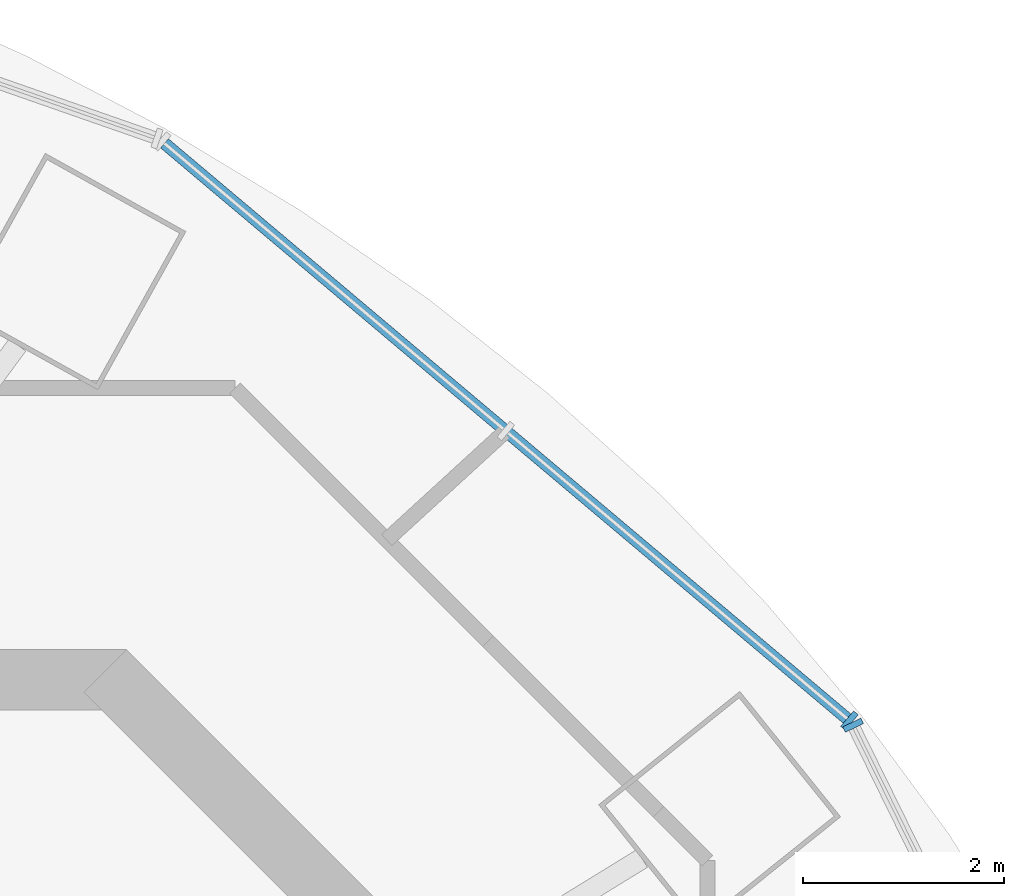
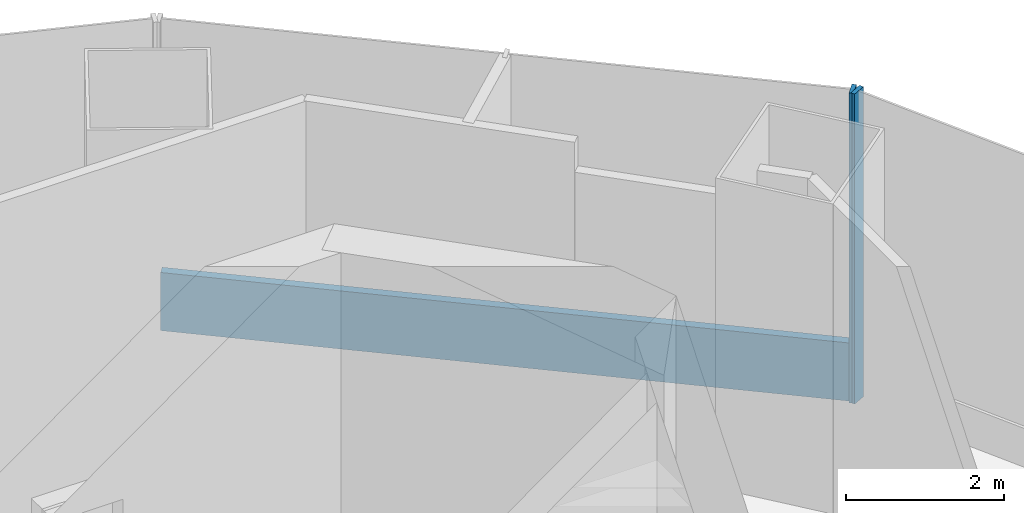
# One storey, part 6 of 12: 3 members, 2 elements without a shape of their own.
"""IFC4 building model written with IfcOpenShell, lengths in metres."""

from ifc_helpers import new_model, si_unit, direction, frame, origin, origin_2d, place, context, subcontext, project, spatial, rectangle, extrude, material, material_profile, profile_set, type_object, element, aggregate, save


model = new_model("IFC4")

# Units and contexts
model_context = context("Model", 3, precision=1e-05, world=origin(), true_north=direction((0.0, 1.0)))
body_context = subcontext(model_context, "Body", "Model", "MODEL_VIEW")
ifc_project = project(units=[si_unit("LENGTHUNIT", "METRE"), si_unit("AREAUNIT", "SQUARE_METRE"), si_unit("VOLUMEUNIT", "CUBIC_METRE"), si_unit("PLANEANGLEUNIT", "RADIAN"), si_unit("MASSUNIT", "GRAM", prefix="KILO")], contexts=[model_context])

# Site, building, storey
site_placement = place(None, origin())
site = spatial("IfcSite", under=ifc_project, at=site_placement, CompositionType="ELEMENT")
building_placement = place(site_placement, origin())
building = spatial("IfcBuilding", under=site, at=building_placement, Name="Marenthal Gate Tower", CompositionType="ELEMENT")
storey_placement = place(building_placement, frame((0.0, 0.0, 413.550048828125)))
storey = spatial("IfcBuildingStorey", under=building, at=storey_placement, Name="L93", CompositionType="ELEMENT", Elevation=413.550048828125)

# Curtain wall, member
ifc_material_1 = material(Name="Aluminium and glass", Category="aluminium")
curtain_wall_type_1 = type_object("IfcCurtainWallType", Name="Curtain wall crown clad", PredefinedType="NOTDEFINED", material=ifc_material_1)
curtain_wall_1_placement = place(storey_placement, origin())
curtain_wall_1 = element("IfcCurtainWall", 1, at=curtain_wall_1_placement, inside=storey, type_object=curtain_wall_type_1, Name="Curtain wall L93 bay 1", PredefinedType="NOTDEFINED")
ifc_material_2 = material(Name="Aluminium", Category="aluminium")
ifc_material_profile_1 = material_profile(ifc_material_2, rectangle(XDim=0.199951171875, YDim=0.06005859375, at=origin_2d()), Name="60x200 aluminium mullion")
ifc_profile_set_1 = profile_set([ifc_material_profile_1], Name="Aluminium")
member_type_1 = type_object("IfcMemberType", Name="Mullion 60x200 crown clad", PredefinedType="MULLION", material=ifc_profile_set_1)
member_1_placement = place(storey_placement, frame((20.348388671875, 12.54833984375, 0.0), z_axis=(0.0, 0.0, 1.0), x_axis=(-0.897446389763, -0.441123539953, 0.0)))
member_1 = element("IfcMember", 2, at=member_1_placement, type_object=member_type_1, Name="Mullion L93 bay 1.3", PredefinedType="MULLION", context=body_context, shape_type="SweptSolid", body=[
    extrude(rectangle(XDim=0.199951171875, YDim=0.06005859375, at=origin_2d()), origin(), (0.0, 0.0, 1.0), 4.800048828125),
])
aggregate(curtain_wall_1, [member_1])

# Curtain wall, members
ifc_material_3 = material(Name="Aluminium and glass", Category="aluminium")
curtain_wall_type_2 = type_object("IfcCurtainWallType", Name="Curtain wall typical high", PredefinedType="NOTDEFINED", material=ifc_material_3)
curtain_wall_2_placement = place(storey_placement, origin())
curtain_wall_2 = element("IfcCurtainWall", 3, at=curtain_wall_2_placement, inside=storey, type_object=curtain_wall_type_2, Name="Curtain wall L93 bay 2", PredefinedType="NOTDEFINED")
ifc_material_4 = material(Name="Aluminium", Category="aluminium")
ifc_material_profile_2 = material_profile(ifc_material_4, rectangle(XDim=0.199951171875, YDim=0.06005859375, at=origin_2d()), Name="60x200 aluminium mullion")
ifc_profile_set_2 = profile_set([ifc_material_profile_2], Name="Aluminium")
member_type_2 = type_object("IfcMemberType", Name="Mullion 60x200 typical high", PredefinedType="MULLION", material=ifc_profile_set_2)
member_2_placement = place(storey_placement, frame((20.312255859375, 12.5947265625, 0.0), z_axis=(0.0, 0.0, 1.0), x_axis=(-0.644394449075, -0.764693267919, 0.0)))
member_2 = element("IfcMember", 4, at=member_2_placement, type_object=member_type_2, Name="Mullion L93 bay 2.1", PredefinedType="MULLION", context=body_context, shape_type="SweptSolid", body=[
    extrude(rectangle(XDim=0.199951171875, YDim=0.06005859375, at=origin_2d()), origin(), (0.0, 0.0, 1.0), 4.800048828125),
])
ifc_material_5 = material(Name="Aluminium", Category="aluminium")
ifc_material_profile_3 = material_profile(ifc_material_5, rectangle(XDim=0.1201171875, YDim=0.89990234375, at=origin_2d()), Name="120x900 aluminium transom")
ifc_profile_set_3 = profile_set([ifc_material_profile_3], Name="Aluminium")
member_type_3 = type_object("IfcMemberType", Name="Transom 120x900 typical high", PredefinedType="USERDEFINED", material=ifc_profile_set_3)
member_3_placement = place(storey_placement, frame((20.289306640625, 12.614013671875, 0.449951171875), z_axis=(-0.764688649653, 0.644399929463, 0.0), x_axis=(-0.644399929463, -0.764688649653, 0.0)))
member_3 = element("IfcMember", 5, at=member_3_placement, type_object=member_type_3, Name="Transom L93 bay 2", ObjectType="TRANSOM", PredefinedType="USERDEFINED", context=body_context, shape_type="SweptSolid", body=[
    extrude(rectangle(XDim=0.1201171875, YDim=0.89990234375, at=origin_2d()), origin(), (0.0, 0.0, 1.0), 8.877685546875),
])
aggregate(curtain_wall_2, [member_2, member_3])

save(model, "model.ifc")
